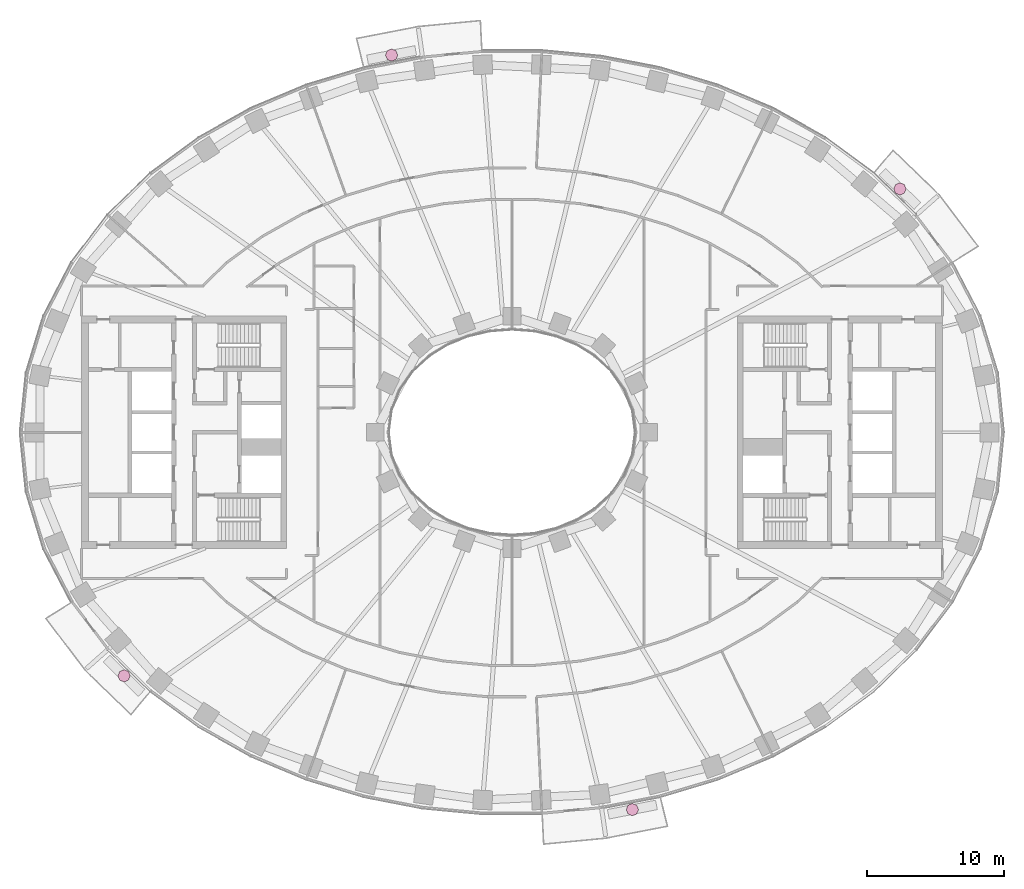
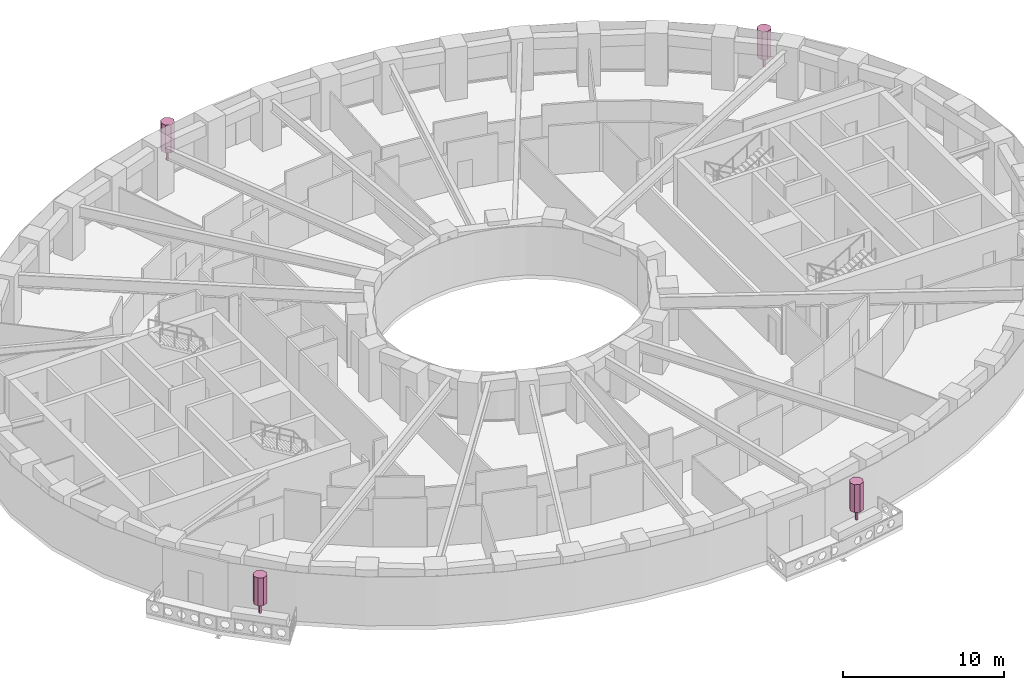
# One storey, part 16 of 16: 4 furnishings.
"""IFC4 building model written with IfcOpenShell, lengths in metres."""

from ifc_helpers import new_model, si_unit, direction, frame, origin, origin_2d, place, context, subcontext, project, spatial, polyline, rectangle, outline, extrude, material, type_object, element, save


model = new_model("IFC4")

# Units and contexts
model_context = context("Model", 3, precision=1e-05, world=origin(), true_north=direction((0.0, 1.0)))
body_context = subcontext(model_context, "Body", "Model", "MODEL_VIEW")
ifc_project = project(units=[si_unit("LENGTHUNIT", "METRE"), si_unit("AREAUNIT", "SQUARE_METRE"), si_unit("VOLUMEUNIT", "CUBIC_METRE"), si_unit("PLANEANGLEUNIT", "RADIAN"), si_unit("MASSUNIT", "GRAM", prefix="KILO")], contexts=[model_context])

# Site, building, storey
site_placement = place(None, origin())
site = spatial("IfcSite", under=ifc_project, at=site_placement, CompositionType="ELEMENT")
building_placement = place(site_placement, origin())
building = spatial("IfcBuilding", under=site, at=building_placement, Name="Noorbagh Ring Tower", CompositionType="ELEMENT")
storey_placement = place(building_placement, frame((0.0, 0.0, 78.5)))
storey = spatial("IfcBuildingStorey", under=building, at=storey_placement, Name="L17", CompositionType="ELEMENT", Elevation=78.5)

# Furnishings
ifc_material = material(Name="Planting foliage green")
furnishing_element_type = type_object("IfcFurnishingElementType", Name="ENV-TREE", material=ifc_material)
for number, where, z_axis, x_axis, name in (
    (1, (28.3837890625, 17.814208984375, 0.60009765625), (0.0, 0.0, 1.0), (1.0, 0.0, 0.0), "Tree BN01"),
    (2, (-8.807861328125, 27.603515625, 0.60009765625), (0.0, 0.0, 1.0), (1.0, 0.0, 0.0), "Tree BN04"),
    (3, (-28.3837890625, -17.814208984375, 0.60009765625), (0.0, 0.0, 1.0), (1.0, 0.0, 0.0), "Tree BS01"),
    (4, (8.807861328125, -27.603515625, 0.60009765625), (0.0, 0.0, 1.0), (1.0, 0.0, 0.0), "Tree BS04"),
):
    element("IfcFurnishingElement", number, at=place(storey_placement, frame(where, z_axis=z_axis, x_axis=x_axis)), inside=storey, type_object=furnishing_element_type, Name=name, context=body_context, shape_type="SweptSolid", body=[
        extrude(rectangle(XDim=0.1201171875, YDim=0.1201171875, at=origin_2d()), origin(), (0.0, 0.0, 1.0), 0.825927734375),
        extrude(outline(polyline([(0.449951171875, 0.0), (0.318115234375, 0.318115234375), (0.0, 0.449951171875), (-0.318115234375, 0.318115234375), (-0.449951171875, 0.0), (-0.318115234375, -0.318115234375), (0.0, -0.449951171875), (0.318115234375, -0.318115234375), (0.449951171875, 0.0)])), frame((0.0, 0.0, 0.825927734375)), (0.0, 0.0, 1.0), 2.1240234375),
    ])

save(model, "model.ifc")
